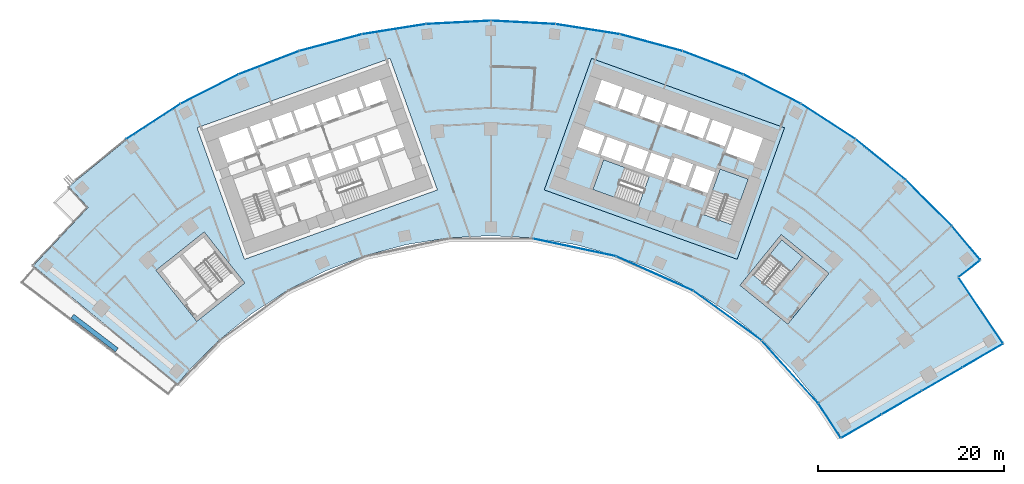
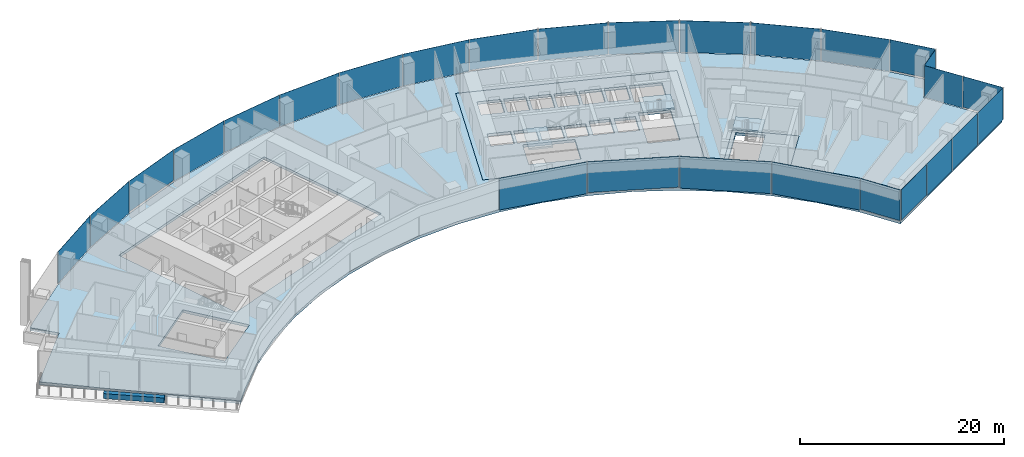
# One storey, part 12 of 20: 27 plates, 6 slabs, 1 wall, 8 elements without a shape of their own.
"""IFC4 building model written with IfcOpenShell, lengths in metres."""

from ifc_helpers import new_model, si_unit, direction, frame, origin, origin_2d, place, context, subcontext, project, spatial, polyline, rectangle, outline, extrude, material, layer, layer_set, type_object, element, aggregate, save


model = new_model("IFC4")

# Units and contexts
model_context = context("Model", 3, precision=1e-05, world=origin(), true_north=direction((0.0, 1.0)))
body_context = subcontext(model_context, "Body", "Model", "MODEL_VIEW")
ifc_project = project(units=[si_unit("LENGTHUNIT", "METRE"), si_unit("AREAUNIT", "SQUARE_METRE"), si_unit("VOLUMEUNIT", "CUBIC_METRE"), si_unit("PLANEANGLEUNIT", "RADIAN"), si_unit("MASSUNIT", "GRAM", prefix="KILO")], contexts=[model_context])

# Site, building, storey
site_placement = place(None, origin())
site = spatial("IfcSite", under=ifc_project, at=site_placement, CompositionType="ELEMENT")
building_placement = place(site_placement, origin())
building = spatial("IfcBuilding", under=site, at=building_placement, Name="Stone Belt Terrace Tower", CompositionType="ELEMENT")
storey_placement = place(building_placement, frame((0.0, 0.0, 102.199951171875)))
storey = spatial("IfcBuildingStorey", under=building, at=storey_placement, Name="L24", CompositionType="ELEMENT", Elevation=102.199951171875)

# Curtain wall, plates
ifc_material_1 = material(Name="Aluminium 6063-T6 anodised frame", Category="aluminium")
ifc_layer_1 = layer(ifc_material_1, 0.14990234375)
ifc_layer_set_1 = layer_set([ifc_layer_1], Name="CW-A unitised convex-face curtain wall")
curtain_wall_type_1 = type_object("IfcCurtainWallType", Name="CW-A unitised convex-face curtain wall", PredefinedType="NOTDEFINED", material=ifc_layer_set_1)
curtain_wall_1_placement = place(storey_placement, origin())
curtain_wall_1 = element("IfcCurtainWall", 1, at=curtain_wall_1_placement, inside=storey, type_object=curtain_wall_type_1, Name="CW-A convex face L24", PredefinedType="NOTDEFINED")
ifc_material_2 = material(Name="Clear double glazed unit")
ifc_layer_2 = layer(ifc_material_2, 0.031982421875)
ifc_layer_set_2 = layer_set([ifc_layer_2], Name="CW-A glass panel 32")
plate_type_1 = type_object("IfcPlateType", Name="CW-A glass panel 32", PredefinedType="CURTAIN_PANEL", material=ifc_layer_set_2)
plate_1_placement = place(storey_placement, frame((50.993896484375, 42.73583984375, 0.14013671875), z_axis=(0.0, 0.0, 1.0), x_axis=(-0.642509184121, 0.766277983711, 0.0)))
plate_1 = element("IfcPlate", 2, at=plate_1_placement, type_object=plate_type_1, Name="CW-A panel 1.1", PredefinedType="CURTAIN_PANEL", context=body_context, shape_type="SweptSolid", body=[
    extrude(rectangle(XDim=4.662841796875, YDim=0.031982421875, at=origin_2d()), origin(), (0.0, 0.0, 1.0), 3.659912109375),
])
plate_2_placement = place(storey_placement, frame((47.01123046875, 47.01123046875, 0.0), z_axis=(0.0, 0.0, 1.0), x_axis=(-0.707106781187, 0.707106781187, 0.0)))
plate_2 = element("IfcPlate", 3, at=plate_2_placement, type_object=plate_type_1, Name="CW-A panel 2.1", PredefinedType="CURTAIN_PANEL", context=body_context, shape_type="SweptSolid", body=[
    extrude(rectangle(XDim=6.90087890625, YDim=0.031982421875, at=origin_2d()), origin(), (0.0, 0.0, 1.0), 3.800048828125),
])
plate_3_placement = place(storey_placement, frame((41.839599609375, 51.667724609375, 0.0), z_axis=(0.0, 0.0, 1.0), x_axis=(-0.777145961457, 0.62932039105, 0.0)))
plate_3 = element("IfcPlate", 4, at=plate_3_placement, type_object=plate_type_1, Name="CW-A panel 3.1", PredefinedType="CURTAIN_PANEL", context=body_context, shape_type="SweptSolid", body=[
    extrude(rectangle(XDim=6.90087890625, YDim=0.031982421875, at=origin_2d()), origin(), (0.0, 0.0, 1.0), 3.800048828125),
])
plate_4_placement = place(storey_placement, frame((36.209716796875, 55.758056640625, 0.0), z_axis=(0.0, 0.0, 1.0), x_axis=(-0.838670567945, 0.544639035015, 0.0)))
plate_4 = element("IfcPlate", 5, at=plate_4_placement, type_object=plate_type_1, Name="CW-A panel 4.1", PredefinedType="CURTAIN_PANEL", context=body_context, shape_type="SweptSolid", body=[
    extrude(rectangle(XDim=6.90087890625, YDim=0.031982421875, at=origin_2d()), origin(), (0.0, 0.0, 1.0), 3.800048828125),
])
plate_5_placement = place(storey_placement, frame((30.18310546875, 59.237548828125, 0.0), z_axis=(0.0, 0.0, 1.0), x_axis=(-0.891006524188, 0.45399049974, 0.0)))
plate_5 = element("IfcPlate", 6, at=plate_5_placement, type_object=plate_type_1, Name="CW-A panel 5.1", PredefinedType="CURTAIN_PANEL", context=body_context, shape_type="SweptSolid", body=[
    extrude(rectangle(XDim=6.90087890625, YDim=0.031982421875, at=origin_2d()), origin(), (0.0, 0.0, 1.0), 3.800048828125),
])
plate_6_placement = place(storey_placement, frame((23.82568359375, 62.068115234375, 0.0), z_axis=(0.0, 0.0, 1.0), x_axis=(-0.933580426497, 0.358367949545, 0.0)))
plate_6 = element("IfcPlate", 7, at=plate_6_placement, type_object=plate_type_1, Name="CW-A panel 6.1", PredefinedType="CURTAIN_PANEL", context=body_context, shape_type="SweptSolid", body=[
    extrude(rectangle(XDim=6.90087890625, YDim=0.031982421875, at=origin_2d()), origin(), (0.0, 0.0, 1.0), 3.800048828125),
])
plate_7_placement = place(storey_placement, frame((17.207275390625, 64.218505859375, 0.14013671875), z_axis=(0.0, 0.0, 1.0), x_axis=(-0.965925826289, 0.258819045103, 0.0)))
plate_7 = element("IfcPlate", 8, at=plate_7_placement, type_object=plate_type_1, Name="CW-A panel 7.1", PredefinedType="CURTAIN_PANEL", context=body_context, shape_type="SweptSolid", body=[
    extrude(rectangle(XDim=6.90087890625, YDim=0.031982421875, at=origin_2d()), origin(), (0.0, 0.0, 1.0), 3.659912109375),
])
plate_8_placement = place(storey_placement, frame((10.400390625, 65.665283203125, 0.0), z_axis=(0.0, 0.0, 1.0), x_axis=(-0.987688340595, 0.15643446504, 0.0)))
plate_8 = element("IfcPlate", 9, at=plate_8_placement, type_object=plate_type_1, Name="CW-A panel 8.1", PredefinedType="CURTAIN_PANEL", context=body_context, shape_type="SweptSolid", body=[
    extrude(rectangle(XDim=6.90087890625, YDim=0.031982421875, at=origin_2d()), origin(), (0.0, 0.0, 1.0), 3.800048828125),
])
plate_9_placement = place(storey_placement, frame((3.4794921875, 66.392822265625, 0.0), z_axis=(0.0, 0.0, 1.0), x_axis=(-0.998629534755, 0.052335956243, 0.0)))
plate_9 = element("IfcPlate", 10, at=plate_9_placement, type_object=plate_type_1, Name="CW-A panel 9.1", PredefinedType="CURTAIN_PANEL", context=body_context, shape_type="SweptSolid", body=[
    extrude(rectangle(XDim=6.90087890625, YDim=0.031982421875, at=origin_2d()), origin(), (0.0, 0.0, 1.0), 3.800048828125),
])
plate_10_placement = place(storey_placement, frame((-3.4794921875, 66.392822265625, 0.0), z_axis=(0.0, 0.0, 1.0), x_axis=(-0.998629534755, -0.052335956243, 0.0)))
plate_10 = element("IfcPlate", 11, at=plate_10_placement, type_object=plate_type_1, Name="CW-A panel 10.1", PredefinedType="CURTAIN_PANEL", context=body_context, shape_type="SweptSolid", body=[
    extrude(rectangle(XDim=6.90087890625, YDim=0.031982421875, at=origin_2d()), origin(), (0.0, 0.0, 1.0), 3.800048828125),
])
plate_11_placement = place(storey_placement, frame((-10.400390625, 65.665283203125, 0.0), z_axis=(0.0, 0.0, 1.0), x_axis=(-0.987688340595, -0.15643446504, 0.0)))
plate_11 = element("IfcPlate", 12, at=plate_11_placement, type_object=plate_type_1, Name="CW-A panel 11.1", PredefinedType="CURTAIN_PANEL", context=body_context, shape_type="SweptSolid", body=[
    extrude(rectangle(XDim=6.90087890625, YDim=0.031982421875, at=origin_2d()), origin(), (0.0, 0.0, 1.0), 3.800048828125),
])
plate_12_placement = place(storey_placement, frame((-17.207275390625, 64.218505859375, 0.0), z_axis=(0.0, 0.0, 1.0), x_axis=(-0.965925826289, -0.258819045103, 0.0)))
plate_12 = element("IfcPlate", 13, at=plate_12_placement, type_object=plate_type_1, Name="CW-A panel 12.1", PredefinedType="CURTAIN_PANEL", context=body_context, shape_type="SweptSolid", body=[
    extrude(rectangle(XDim=6.90087890625, YDim=0.031982421875, at=origin_2d()), origin(), (0.0, 0.0, 1.0), 3.800048828125),
])
plate_13_placement = place(storey_placement, frame((-23.82568359375, 62.068115234375, 0.14013671875), z_axis=(0.0, 0.0, 1.0), x_axis=(-0.933580426497, -0.358367949545, 0.0)))
plate_13 = element("IfcPlate", 14, at=plate_13_placement, type_object=plate_type_1, Name="CW-A panel 13.1", PredefinedType="CURTAIN_PANEL", context=body_context, shape_type="SweptSolid", body=[
    extrude(rectangle(XDim=6.90087890625, YDim=0.031982421875, at=origin_2d()), origin(), (0.0, 0.0, 1.0), 3.659912109375),
])
plate_14_placement = place(storey_placement, frame((-30.18310546875, 59.237548828125, 0.0), z_axis=(0.0, 0.0, 1.0), x_axis=(-0.891006524188, -0.45399049974, 0.0)))
plate_14 = element("IfcPlate", 15, at=plate_14_placement, type_object=plate_type_1, Name="CW-A panel 14.1", PredefinedType="CURTAIN_PANEL", context=body_context, shape_type="SweptSolid", body=[
    extrude(rectangle(XDim=6.90087890625, YDim=0.031982421875, at=origin_2d()), origin(), (0.0, 0.0, 1.0), 3.800048828125),
])
plate_15_placement = place(storey_placement, frame((-36.209716796875, 55.758056640625, 0.0), z_axis=(0.0, 0.0, 1.0), x_axis=(-0.838670567945, -0.544639035015, 0.0)))
plate_15 = element("IfcPlate", 16, at=plate_15_placement, type_object=plate_type_1, Name="CW-A panel 15.1", PredefinedType="CURTAIN_PANEL", context=body_context, shape_type="SweptSolid", body=[
    extrude(rectangle(XDim=6.90087890625, YDim=0.031982421875, at=origin_2d()), origin(), (0.0, 0.0, 1.0), 3.800048828125),
])
aggregate(curtain_wall_1, [plate_1, plate_2, plate_3, plate_4, plate_5, plate_6, plate_7, plate_8, plate_9, plate_10, plate_11, plate_12, plate_13, plate_14, plate_15])

ifc_layer_3 = layer(ifc_material_1, 0.14990234375)
ifc_layer_set_3 = layer_set([ifc_layer_3], Name="CW-B unitised concave-face curtain wall")
curtain_wall_type_2 = type_object("IfcCurtainWallType", Name="CW-B unitised concave-face curtain wall", PredefinedType="NOTDEFINED", material=ifc_layer_set_3)
curtain_wall_2_placement = place(storey_placement, origin())
curtain_wall_2 = element("IfcCurtainWall", 17, at=curtain_wall_2_placement, inside=storey, type_object=curtain_wall_type_2, Name="CW-B concave face L24", PredefinedType="NOTDEFINED")
ifc_layer_4 = layer(ifc_material_2, 0.030029296875)
ifc_layer_set_4 = layer_set([ifc_layer_4], Name="CW-B glass panel 30")
plate_type_2 = type_object("IfcPlateType", Name="CW-B glass panel 30", PredefinedType="CURTAIN_PANEL", material=ifc_layer_set_4)
plate_16_placement = place(storey_placement, frame((8.97900390625, 42.242919921875, 0.0), z_axis=(0.0, 0.0, 1.0), x_axis=(0.978147600734, -0.207911690818, 0.0)))
plate_16 = element("IfcPlate", 18, at=plate_16_placement, type_object=plate_type_2, Name="CW-B panel 6.1", PredefinedType="CURTAIN_PANEL", context=body_context, shape_type="SweptSolid", body=[
    extrude(rectangle(XDim=9.0126953125, YDim=0.030029296875, at=origin_2d()), origin(), (0.0, 0.0, 1.0), 3.800048828125),
])
plate_17_placement = place(storey_placement, frame((17.565673828125, 39.453125, 0.1201171875), z_axis=(0.0, 0.0, 1.0), x_axis=(0.913545457643, -0.406736643076, 0.0)))
plate_17 = element("IfcPlate", 19, at=plate_17_placement, type_object=plate_type_2, Name="CW-B panel 7.1", PredefinedType="CURTAIN_PANEL", context=body_context, shape_type="SweptSolid", body=[
    extrude(rectangle(XDim=9.0126953125, YDim=0.030029296875, at=origin_2d()), origin(), (0.0, 0.0, 1.0), 3.679931640625),
])
plate_18_placement = place(storey_placement, frame((25.384521484375, 34.938720703125, 0.0), z_axis=(0.0, 0.0, 1.0), x_axis=(0.809016994375, -0.587785252292, 0.0)))
plate_18 = element("IfcPlate", 20, at=plate_18_placement, type_object=plate_type_2, Name="CW-B panel 8.1", PredefinedType="CURTAIN_PANEL", context=body_context, shape_type="SweptSolid", body=[
    extrude(rectangle(XDim=9.0126953125, YDim=0.030029296875, at=origin_2d()), origin(), (0.0, 0.0, 1.0), 3.800048828125),
])
plate_19_placement = place(storey_placement, frame((32.09521484375, 28.89599609375, 0.0), z_axis=(0.0, 0.0, 1.0), x_axis=(0.669130606359, -0.743144825477, 0.0)))
plate_19 = element("IfcPlate", 21, at=plate_19_placement, type_object=plate_type_2, Name="CW-B panel 9.1", PredefinedType="CURTAIN_PANEL", context=body_context, shape_type="SweptSolid", body=[
    extrude(rectangle(XDim=9.016845703125, YDim=0.030029296875, at=origin_2d()), origin(), (0.0, 0.0, 1.0), 3.800048828125),
])
plate_20_placement = place(storey_placement, frame((36.3408203125, 23.66943359375, 0.1201171875), z_axis=(0.0, 0.0, 1.0), x_axis=(0.546131502436, -0.837699458068, 0.0)))
plate_20 = element("IfcPlate", 22, at=plate_20_placement, type_object=plate_type_2, Name="CW-B panel 10.1", PredefinedType="CURTAIN_PANEL", context=body_context, shape_type="SweptSolid", body=[
    extrude(rectangle(XDim=4.363525390625, YDim=0.030029296875, at=origin_2d()), origin(), (0.0, 0.0, 1.0), 3.679931640625),
])
aggregate(curtain_wall_2, [plate_16, plate_17, plate_18, plate_19, plate_20])

ifc_layer_5 = layer(ifc_material_1, 0.14990234375)
ifc_layer_set_5 = layer_set([ifc_layer_5], Name="CW-C stick curtain wall, horn ends and notches")
curtain_wall_type_3 = type_object("IfcCurtainWallType", Name="CW-C stick curtain wall, horn ends and notches", PredefinedType="NOTDEFINED", material=ifc_layer_set_5)
curtain_wall_3_placement = place(storey_placement, origin())
curtain_wall_3 = element("IfcCurtainWall", 23, at=curtain_wall_3_placement, inside=storey, type_object=curtain_wall_type_3, Name="CW-C end face L24", PredefinedType="NOTDEFINED")
ifc_layer_6 = layer(ifc_material_2, 0.028076171875)
ifc_layer_set_6 = layer_set([ifc_layer_6], Name="CW-C glass panel 28")
plate_type_3 = type_object("IfcPlateType", Name="CW-C glass panel 28", PredefinedType="CURTAIN_PANEL", material=ifc_layer_set_6)
plate_21_placement = place(storey_placement, frame((39.78076171875, 23.06982421875, 0.1201171875), z_axis=(0.0, 0.0, 1.0), x_axis=(0.864239322284, 0.503080901861, 0.0)))
plate_21 = element("IfcPlate", 24, at=plate_21_placement, type_object=plate_type_3, Name="CW-C panel 1.1", PredefinedType="CURTAIN_PANEL", context=body_context, shape_type="SweptSolid", body=[
    extrude(rectangle(XDim=4.9677734375, YDim=0.028076171875, at=origin_2d()), origin(), (0.0, 0.0, 1.0), 3.679931640625),
])
plate_22_placement = place(storey_placement, frame((44.114013671875, 25.59228515625, 0.0), z_axis=(0.0, 0.0, 1.0), x_axis=(0.864239322284, 0.503080901861, 0.0)))
plate_22 = element("IfcPlate", 25, at=plate_22_placement, type_object=plate_type_3, Name="CW-C panel 2.1", PredefinedType="CURTAIN_PANEL", context=body_context, shape_type="SweptSolid", body=[
    extrude(rectangle(XDim=4.93994140625, YDim=0.028076171875, at=origin_2d()), origin(), (0.0, 0.0, 1.0), 3.800048828125),
])
plate_23_placement = place(storey_placement, frame((48.43505859375, 28.107666015625, 0.0), z_axis=(0.0, 0.0, 1.0), x_axis=(0.864239322284, 0.503080901861, 0.0)))
plate_23 = element("IfcPlate", 26, at=plate_23_placement, type_object=plate_type_3, Name="CW-C panel 3.1", PredefinedType="CURTAIN_PANEL", context=body_context, shape_type="SweptSolid", body=[
    extrude(rectangle(XDim=4.93994140625, YDim=0.028076171875, at=origin_2d()), origin(), (0.0, 0.0, 1.0), 3.800048828125),
])
plate_24_placement = place(storey_placement, frame((52.771484375, 30.6318359375, 0.0), z_axis=(0.0, 0.0, 1.0), x_axis=(0.864239322284, 0.503080901861, 0.0)))
plate_24 = element("IfcPlate", 27, at=plate_24_placement, type_object=plate_type_3, Name="CW-C panel 4.1", PredefinedType="CURTAIN_PANEL", context=body_context, shape_type="SweptSolid", body=[
    extrude(rectangle(XDim=4.974853515625, YDim=0.028076171875, at=origin_2d()), origin(), (0.0, 0.0, 1.0), 3.800048828125),
])
aggregate(curtain_wall_3, [plate_21, plate_22, plate_23, plate_24])

curtain_wall_4_placement = place(storey_placement, origin())
curtain_wall_4 = element("IfcCurtainWall", 28, at=curtain_wall_4_placement, inside=storey, type_object=curtain_wall_type_3, Name="CW-C notch face L24", PredefinedType="NOTDEFINED")
plate_25_placement = place(storey_placement, frame((53.748046875, 33.751220703125, 0.1201171875), z_axis=(0.0, 0.0, 1.0), x_axis=(-0.560367245622, 0.828244257471, 0.0)))
plate_25 = element("IfcPlate", 29, at=plate_25_placement, type_object=plate_type_3, Name="CW-C panel 1.1", PredefinedType="CURTAIN_PANEL", context=body_context, shape_type="SweptSolid", body=[
    extrude(rectangle(XDim=4.268798828125, YDim=0.028076171875, at=origin_2d()), origin(), (0.0, 0.0, 1.0), 3.679931640625),
])
plate_26_placement = place(storey_placement, frame((51.364013671875, 37.275146484375, 0.0), z_axis=(0.0, 0.0, 1.0), x_axis=(-0.560367245622, 0.828244257471, 0.0)))
plate_26 = element("IfcPlate", 30, at=plate_26_placement, type_object=plate_type_3, Name="CW-C panel 2.1", PredefinedType="CURTAIN_PANEL", context=body_context, shape_type="SweptSolid", body=[
    extrude(rectangle(XDim=4.12060546875, YDim=0.028076171875, at=origin_2d()), origin(), (0.0, 0.0, 1.0), 3.800048828125),
])
aggregate(curtain_wall_4, [plate_25, plate_26])

# Curtain wall, plate
curtain_wall_5_placement = place(storey_placement, origin())
curtain_wall_5 = element("IfcCurtainWall", 31, at=curtain_wall_5_placement, inside=storey, type_object=curtain_wall_type_3, Name="CW-C notch face L24", PredefinedType="NOTDEFINED")
plate_27_placement = place(storey_placement, frame((51.353515625, 39.966552734375, 0.1201171875), z_axis=(0.0, 0.0, 1.0), x_axis=(0.788458012337, 0.615088581248, 0.0)))
plate_27 = element("IfcPlate", 32, at=plate_27_placement, type_object=plate_type_3, Name="CW-C panel 1.1", PredefinedType="CURTAIN_PANEL", context=body_context, shape_type="SweptSolid", body=[
    extrude(rectangle(XDim=2.859619140625, YDim=0.028076171875, at=origin_2d()), origin(), (0.0, 0.0, 1.0), 3.679931640625),
])
aggregate(curtain_wall_5, [plate_27])

# Slabs
ifc_material_3 = material(Name="Concrete B40", Category="concrete")
ifc_layer_7 = layer(ifc_material_3, 0.320068359375)
ifc_layer_set_7 = layer_set([ifc_layer_7], Name="Core floor slab 320")
slab_type_1 = type_object("IfcSlabType", Name="Core floor slab 320", PredefinedType="FLOOR", material=ifc_layer_set_7)
slab_1_placement = place(storey_placement, frame((0.0, 0.0, -0.320068359375)))
element("IfcSlab", 33, at=slab_1_placement, inside=storey, type_object=slab_type_1, Name="Core B floor L24", PredefinedType="FLOOR", context=body_context, shape_type="SweptSolid", body=[
    extrude(outline(polyline([(26.43505859375, 40.968994140625), (31.513916015625, 55.0830078125), (10.81396484375, 62.531982421875), (5.735107421875, 48.4189453125), (26.43505859375, 40.968994140625)]), holes=[polyline([(12.10595703125, 51.652099609375), (16.998046875, 49.89208984375), (15.846923828125, 46.69189453125), (10.955078125, 48.452880859375), (12.10595703125, 51.652099609375)]), polyline([(19.239990234375, 51.68896484375), (18.5458984375, 49.760009765625), (16.52294921875, 50.488037109375), (17.217041015625, 52.4169921875), (19.239990234375, 51.68896484375)]), polyline([(16.239990234375, 50.589111328125), (14.169921875, 51.333984375), (14.864013671875, 53.262939453125), (16.93408203125, 52.51806640625), (16.239990234375, 50.589111328125)]), polyline([(14.58203125, 53.364990234375), (13.887939453125, 51.43603515625), (11.864990234375, 52.1640625), (11.847900390625, 52.116943359375), (11.801025390625, 52.134033203125), (12.511962890625, 54.110107421875), (14.58203125, 53.364990234375)]), polyline([(9.30810546875, 53.031005859375), (10.01904296875, 55.007080078125), (12.22998046875, 54.2109375), (11.51904296875, 52.235107421875), (9.30810546875, 53.031005859375)]), polyline([(16.743896484375, 58.485107421875), (18.81396484375, 57.739990234375), (18.052001953125, 55.623046875), (15.98193359375, 56.367919921875), (16.743896484375, 58.485107421875)]), polyline([(14.39111328125, 59.33203125), (16.4609375, 58.5869140625), (15.699951171875, 56.469970703125), (13.6298828125, 57.215087890625), (14.39111328125, 59.33203125)]), polyline([(11.89794921875, 60.22900390625), (14.10888671875, 59.43408203125), (13.346923828125, 57.31591796875), (11.135986328125, 58.112060546875), (11.89794921875, 60.22900390625)]), polyline([(25.85888671875, 44.68408203125), (22.847900390625, 45.76806640625), (24.60791015625, 50.659912109375), (27.618896484375, 49.575927734375), (25.85888671875, 44.68408203125)]), polyline([(21.27392578125, 48.778076171875), (22.0869140625, 51.035888671875), (24.06298828125, 50.324951171875), (23.25, 48.06689453125), (21.27392578125, 48.778076171875)]), polyline([(18.922119140625, 49.6240234375), (19.735107421875, 51.883056640625), (21.7109375, 51.1708984375), (20.89794921875, 48.9130859375), (18.922119140625, 49.6240234375)]), polyline([(29.2109375, 53.9990234375), (28.24609375, 51.31689453125), (25.18798828125, 52.41796875), (26.153076171875, 55.09912109375), (29.2109375, 53.9990234375)]), polyline([(23.801025390625, 55.946044921875), (25.87109375, 55.200927734375), (25.10888671875, 53.083984375), (23.0390625, 53.8291015625), (23.801025390625, 55.946044921875)]), polyline([(21.447998046875, 56.7919921875), (23.51806640625, 56.047119140625), (22.756103515625, 53.929931640625), (20.68603515625, 54.675048828125), (21.447998046875, 56.7919921875)]), polyline([(19.095947265625, 57.638916015625), (21.166015625, 56.89404296875), (20.404052734375, 54.777099609375), (18.333984375, 55.52197265625), (19.095947265625, 57.638916015625)])]), origin(), (0.0, 0.0, 1.0), 0.320068359375),
])
slab_2_placement = place(storey_placement, frame((0.0, 0.0, -0.320068359375)))
element("IfcSlab", 34, at=slab_2_placement, inside=storey, type_object=slab_type_1, Name="Exit stair ST3B floor L24", PredefinedType="FLOOR", context=body_context, shape_type="SweptSolid", body=[
    extrude(outline(polyline([(26.741943359375, 38.18408203125), (31.866943359375, 34.02392578125), (36.278076171875, 39.458984375), (31.154052734375, 43.618896484375), (26.741943359375, 38.18408203125)]), holes=[polyline([(30.407958984375, 37.462890625), (28.156005859375, 39.291015625), (31.2119140625, 43.055908203125), (33.464111328125, 41.22802734375), (30.407958984375, 37.462890625)])]), origin(), (0.0, 0.0, 1.0), 0.320068359375),
])
ifc_layer_8 = layer(ifc_material_3, 0.320068359375)
ifc_layer_set_8 = layer_set([ifc_layer_8], Name="Floor slab 320 B40")
slab_type_2 = type_object("IfcSlabType", Name="Floor slab 320 B40", PredefinedType="FLOOR", material=ifc_layer_set_8)
slab_3_placement = place(storey_placement, frame((0.0, 0.0, -0.320068359375)))
element("IfcSlab", 35, at=slab_3_placement, inside=storey, type_object=slab_type_2, Name="Floor slab L24", PredefinedType="FLOOR", context=body_context, shape_type="SweptSolid", body=[
    extrude(outline(polyline([(-44.497314453125, 49.419189453125), (-39.087646484375, 53.799560546875), (-33.25, 57.5908203125), (-27.048095703125, 60.750732421875), (-20.549560546875, 63.245361328125), (-13.826171875, 65.046875), (-6.951171875, 66.1357421875), (0.0, 66.5), (6.951171875, 66.1357421875), (13.826171875, 65.046875), (20.549560546875, 63.245361328125), (27.048095703125, 60.750732421875), (33.25, 57.5908203125), (39.087646484375, 53.799560546875), (44.497314453125, 49.419189453125), (49.419189453125, 44.497314453125), (52.4326171875, 40.9033203125), (50.067138671875, 39.05810546875), (54.879150390625, 31.945556640625), (37.594482421875, 21.884033203125), (35.192138671875, 25.568603515625), (32.326904296875, 29.107177734375), (29.107177734375, 32.326904296875), (25.568603515625, 35.192138671875), (21.75, 37.672119140625), (17.693115234375, 39.7392578125), (13.442138671875, 41.37109375), (9.044189453125, 42.54931640625), (4.547119140625, 43.26171875), (0.0, 43.5), (-4.547119140625, 43.26171875), (-9.044189453125, 42.54931640625), (-13.442138671875, 41.37109375), (-17.693115234375, 39.7392578125), (-21.75, 37.672119140625), (-25.568603515625, 35.192138671875), (-29.107177734375, 32.326904296875), (-32.326904296875, 29.107177734375), (-33.627685546875, 27.593994140625), (-49.088623046875, 40.281005859375), (-43.204833984375, 46.535888671875), (-45.24609375, 48.734375), (-44.497314453125, 49.419189453125)]), holes=[polyline([(-26.434814453125, 40.968994140625), (-5.734619140625, 48.418701171875), (-10.81396484375, 62.532470703125), (-31.51416015625, 55.082763671875), (-26.434814453125, 40.968994140625)]), polyline([(10.81396484375, 62.532470703125), (5.734619140625, 48.418701171875), (26.434814453125, 40.968994140625), (31.51416015625, 55.082763671875), (10.81396484375, 62.532470703125)]), polyline([(-35.91796875, 39.787353515625), (-31.55615234375, 34.3125), (-26.39404296875, 38.425048828125), (-30.756103515625, 43.89990234375), (-35.91796875, 39.787353515625)]), polyline([(36.2783203125, 39.459228515625), (31.15380859375, 43.61865234375), (26.742431640625, 38.18359375), (31.86669921875, 34.024169921875), (36.2783203125, 39.459228515625)])]), origin(), (0.0, 0.0, 1.0), 0.320068359375),
])

# Stair, slab
stair_type = type_object("IfcStairType", Name="Exit stair 1500", PredefinedType="HALF_TURN_STAIR", material=ifc_material_3)
stair_1_placement = place(storey_placement, origin())
stair_1 = element("IfcStair", 36, at=stair_1_placement, inside=storey, type_object=stair_type, Name="L24 Exit stair 1 core B", PredefinedType="HALF_TURN_STAIR")
ifc_layer_9 = layer(ifc_material_3, 0.199951171875)
ifc_layer_set_9 = layer_set([ifc_layer_9], Name="Stair landing 200")
slab_type_3 = type_object("IfcSlabType", Name="Stair landing 200", PredefinedType="LANDING", material=ifc_layer_set_9)
slab_4_placement = place(storey_placement, frame((0.0, 0.0, 1.699951171875)))
slab_4 = element("IfcSlab", 37, at=slab_4_placement, type_object=slab_type_3, Name="ST1B landing 1", PredefinedType="LANDING", context=body_context, shape_type="SweptSolid", body=[
    extrude(outline(polyline([(26.806396484375, 47.3173828125), (27.619384765625, 49.576171875), (24.6083984375, 50.659912109375), (23.79541015625, 48.40087890625), (26.806396484375, 47.3173828125)])), origin(), (0.0, 0.0, 1.0), 0.2001953125),
])
aggregate(stair_1, [slab_4])

stair_2_placement = place(storey_placement, origin())
stair_2 = element("IfcStair", 38, at=stair_2_placement, inside=storey, type_object=stair_type, Name="L24 Exit stair 2 core B", PredefinedType="HALF_TURN_STAIR")
slab_5_placement = place(storey_placement, frame((0.0, 0.0, 1.699951171875)))
slab_5 = element("IfcSlab", 39, at=slab_5_placement, type_object=slab_type_3, Name="ST2B landing 1", PredefinedType="LANDING", context=body_context, shape_type="SweptSolid", body=[
    extrude(outline(polyline([(14.36474609375, 50.839111328125), (12.10595703125, 51.652099609375), (10.95458984375, 48.453125), (13.213623046875, 47.64013671875), (14.36474609375, 50.839111328125)])), origin(), (0.0, 0.0, 1.0), 0.2001953125),
])
aggregate(stair_2, [slab_5])

stair_3_placement = place(storey_placement, origin())
stair_3 = element("IfcStair", 40, at=stair_3_placement, inside=storey, type_object=stair_type, Name="L24 Exit stair 3B", PredefinedType="HALF_TURN_STAIR")
slab_6_placement = place(storey_placement, frame((0.0, 0.0, 1.699951171875)))
slab_6 = element("IfcSlab", 41, at=slab_6_placement, type_object=slab_type_3, Name="ST3B landing 1", PredefinedType="LANDING", context=body_context, shape_type="SweptSolid", body=[
    extrude(outline(polyline([(32.17138671875, 39.635986328125), (33.4638671875, 41.228271484375), (31.21240234375, 43.055908203125), (29.919921875, 41.463623046875), (32.17138671875, 39.635986328125)])), origin(), (0.0, 0.0, 1.0), 0.2001953125),
])
aggregate(stair_3, [slab_6])

# Wall
ifc_material_4 = material(Name="Precast concrete C40/50", Category="concrete")
ifc_layer_10 = layer(ifc_material_4, 0.5)
ifc_layer_set_10 = layer_set([ifc_layer_10], Name="Planter box 500 x 600")
wall_type = type_object("IfcWallType", Name="Planter box 500 x 600", PredefinedType="SOLIDWALL", material=ifc_layer_set_10)
wall_placement = place(storey_placement, frame((-42.510009765625, 33.06103515625, 0.0), z_axis=(0.0, 0.0, 1.0), x_axis=(0.795601620036, -0.605820156644, 0.0)))
element("IfcWall", 42, at=wall_placement, inside=storey, type_object=wall_type, Name="PLANTER L24 1", PredefinedType="SOLIDWALL", context=body_context, shape_type="SweptSolid", body=[
    extrude(rectangle(XDim=6.0, YDim=0.5, at=origin_2d()), origin(), (0.0, 0.0, 1.0), 0.60009765625),
])

save(model, "model.ifc")
